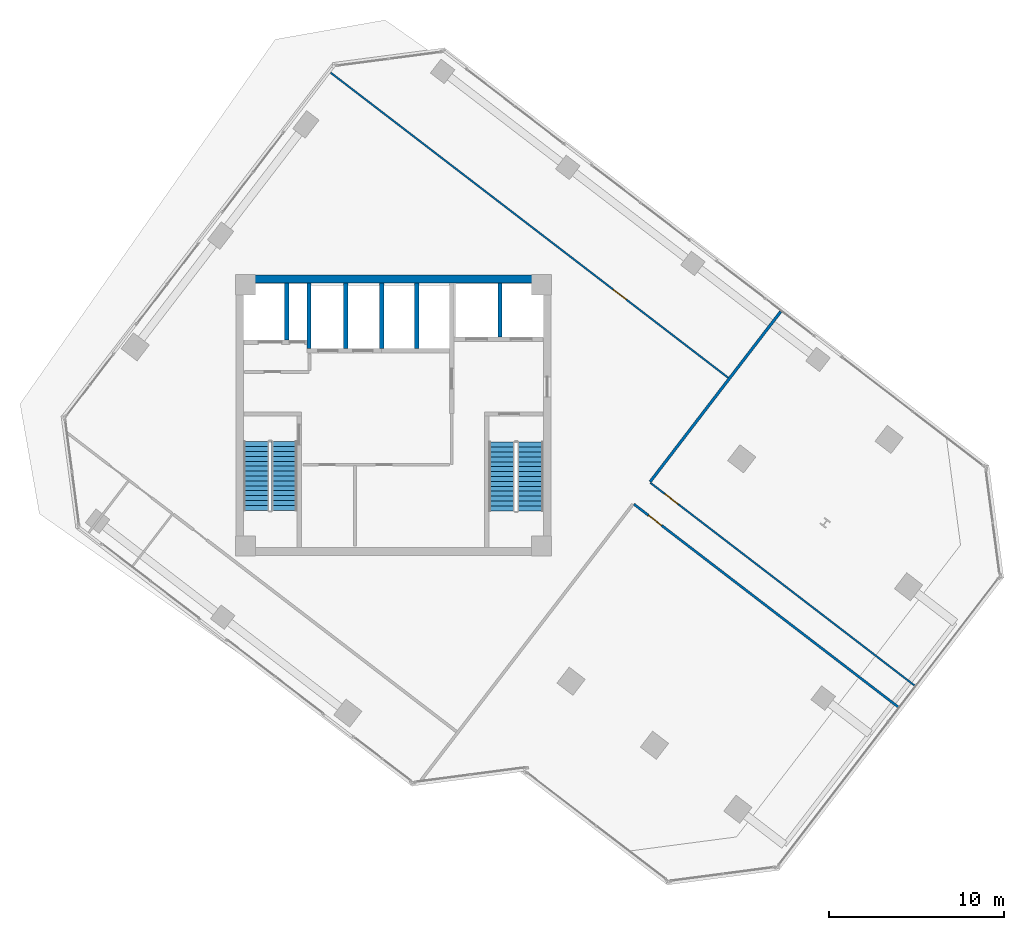
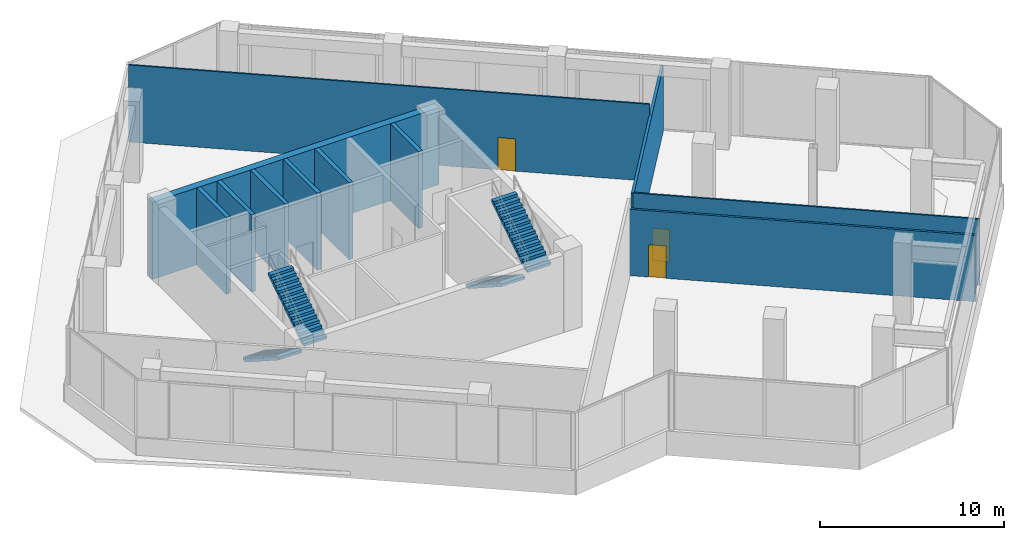
# One storey, part 19 of 23: 11 walls, 4 stair flights, 3 doors, 3 openings, 2 elements without a shape of their own.
"""IFC4 building model written with IfcOpenShell, lengths in metres."""

from ifc_helpers import new_model, si_unit, direction, frame, frame_2d, origin, place, context, subcontext, project, spatial, polyline, rectangle, outline, extrude, source, transform, mapped, material, layer, layer_set, type_object, element, fill, aggregate, save


model = new_model("IFC4")

# Units and contexts
model_context = context("Model", 3, precision=1e-05, world=origin(), true_north=direction((0.0, 1.0)))
body_context = subcontext(model_context, "Body", "Model", "MODEL_VIEW")
ifc_project = project(units=[si_unit("LENGTHUNIT", "METRE"), si_unit("AREAUNIT", "SQUARE_METRE"), si_unit("VOLUMEUNIT", "CUBIC_METRE"), si_unit("PLANEANGLEUNIT", "RADIAN"), si_unit("MASSUNIT", "GRAM", prefix="KILO")], contexts=[model_context])

# Site, building, storey
site_placement = place(None, origin())
site = spatial("IfcSite", under=ifc_project, at=site_placement, CompositionType="ELEMENT")
building_placement = place(site_placement, origin())
building = spatial("IfcBuilding", under=site, at=building_placement, Name="Torre Montelarca", CompositionType="ELEMENT")
storey_placement = place(building_placement, frame((0.0, 0.0, 204.39990234375)))
storey = spatial("IfcBuildingStorey", under=building, at=storey_placement, Name="L46", CompositionType="ELEMENT", Elevation=204.39990234375)

# Walls
ifc_material_1 = material(Name="Concrete C40/50", Category="concrete")
ifc_layer_1 = layer(ifc_material_1, 0.25, Name="Concrete C40/50", Category="concrete")
ifc_layer_set_1 = layer_set([ifc_layer_1], Name="Concrete C40/50")
wall_type_1 = type_object("IfcWallType", Name="CW-SHAFT-250", PredefinedType="SHEAR", material=ifc_layer_set_1)
wall_1_placement = place(storey_placement, frame((11.89990234375, 36.31005859375, 0.0), z_axis=(0.0, 0.0, 1.0), x_axis=(0.0, 1.0, 0.0)))
element("IfcWall", 1, at=wall_1_placement, inside=storey, type_object=wall_type_1, Name="L46 Core Shear Wall SH-SV1-E", PredefinedType="SHEAR", context=body_context, shape_type="SweptSolid", body=[
    extrude(rectangle(XDim=3.22998046875, YDim=0.25, at=frame_2d((1.614990234375, 0.0))), origin(), (0.0, 0.0, 1.0), 5.1201171875),
])
wall_2_placement = place(storey_placement, frame((24.080078125, 36.47998046875, 0.0), z_axis=(0.0, 0.0, 1.0), x_axis=(0.0, 1.0, 0.0)))
element("IfcWall", 2, at=wall_2_placement, inside=storey, type_object=wall_type_1, Name="L46 Core Shear Wall SH-FF-M", PredefinedType="SHEAR", context=body_context, shape_type="SweptSolid", body=[
    extrude(rectangle(XDim=3.06005859375, YDim=0.25, at=frame_2d((1.530029296875, 0.0))), origin(), (0.0, 0.0, 1.0), 5.1201171875),
])
for number, where, z_axis, x_axis, name in (
    (3, (13.179931640625, 35.81005859375, 0.0), (0.0, 0.0, 1.0), (0.0, 1.0, 0.0), "L46 Core Shear Wall SH-PLM-W"),
    (4, (15.280029296875, 35.81005859375, 0.0), (0.0, 0.0, 1.0), (0.0, 1.0, 0.0), "L46 Core Shear Wall SH-PLM-M"),
    (5, (17.320068359375, 35.81005859375, 0.0), (0.0, 0.0, 1.0), (0.0, 1.0, 0.0), "L46 Core Shear Wall SH-PLH-W"),
    (6, (19.320068359375, 35.81005859375, 0.0), (0.0, 0.0, 1.0), (0.0, 1.0, 0.0), "L46 Core Shear Wall SH-PLH-M"),
):
    element("IfcWall", number, at=place(storey_placement, frame(where, z_axis=z_axis, x_axis=x_axis)), inside=storey, type_object=wall_type_1, Name=name, PredefinedType="SHEAR", context=body_context, shape_type="SweptSolid", body=[
        extrude(rectangle(XDim=3.72998046875, YDim=0.25, at=frame_2d((1.864990234375, 0.0))), origin(), (0.0, 0.0, 1.0), 5.1201171875),
    ])
ifc_material_2 = material(Name="Concrete C55/67", Category="concrete")
ifc_layer_2 = layer(ifc_material_2, 0.449951171875, Name="Concrete C55/67", Category="concrete")
ifc_layer_set_2 = layer_set([ifc_layer_2], Name="Concrete C55/67")
wall_type_2 = type_object("IfcWallType", Name="CW-SHEAR-450", PredefinedType="SHEAR", material=ifc_layer_set_2)
wall_3_placement = place(storey_placement, frame((9.0, 39.77490234375, 0.0), z_axis=(0.0, 0.0, 1.0), x_axis=(1.0, 0.0, 0.0)))
element("IfcWall", 7, at=wall_3_placement, inside=storey, type_object=wall_type_2, Name="L46 Core Shear Wall CW-N1", PredefinedType="SHEAR", context=body_context, shape_type="SweptSolid", body=[
    extrude(rectangle(XDim=18.0, YDim=0.449951171875, at=frame_2d((9.0, 0.0))), origin(), (0.0, 0.0, 1.0), 5.1201171875),
])
ifc_material_3 = material(Name="Gypsum plasterboard on steel stud", Category="steel")
ifc_layer_3 = layer(ifc_material_3, 0.159912109375, Name="Gypsum plasterboard on steel stud", Category="steel")
ifc_layer_set_3 = layer_set([ifc_layer_3], Name="Gypsum plasterboard on steel stud")
wall_type_3 = type_object("IfcWallType", Name="PW-FIRE-160", PredefinedType="PARTITIONING", material=ifc_layer_set_3)
wall_4_placement = place(storey_placement, frame((32.647216796875, 28.211181640625, 0.0), z_axis=(0.0, 0.0, 1.0), x_axis=(0.608743464117, 0.793367124914, 0.0)))
element("IfcWall", 8, at=wall_4_placement, inside=storey, type_object=wall_type_3, Name="L46 Interior Partition W-L46-ECN", PredefinedType="PARTITIONING", context=body_context, shape_type="SweptSolid", body=[
    extrude(rectangle(XDim=12.23974609375, YDim=0.159912109375, at=frame_2d((6.119873046875, 0.0))), origin(), (0.0, 0.0, 1.0), 4.35498046875),
])

# Wall, opening, door
ifc_material_4 = material(Name="Acoustic laminated glass partition", Category="glass")
ifc_layer_4 = layer(ifc_material_4, 0.10009765625, Name="Acoustic laminated glass partition", Category="glass")
ifc_layer_set_4 = layer_set([ifc_layer_4], Name="Acoustic laminated glass partition")
wall_type_4 = type_object("IfcWallType", Name="PW-GLAZ-100", PredefinedType="PARTITIONING", material=ifc_layer_set_4)
wall_5_placement = place(storey_placement, frame((14.41845703125, 51.551025390625, 0.0), z_axis=(0.0, 0.0, 1.0), x_axis=(0.793357597302, -0.608755881124, 0.0)))
wall_5 = element("IfcWall", 9, at=wall_5_placement, inside=storey, type_object=wall_type_4, Name="L46 Interior Partition W-L46-NBOT", PredefinedType="PARTITIONING", context=body_context, shape_type="SweptSolid", body=[
    extrude(rectangle(XDim=28.630126953125, YDim=0.10009765625, at=frame_2d((14.31494140625, 0.0))), origin(), (0.0, 0.0, 1.0), 5.1201171875),
])
opening_1_placement = place(wall_5_placement, frame((20.31005859375, 0.0, 0.0)))
opening_1 = element("IfcOpeningElement", 10, at=opening_1_placement, cuts=wall_5, Name="Opening ID-095", PredefinedType="OPENING", context=body_context, shape_type="SweptSolid", body=[
    extrude(rectangle(XDim=0.949951171875, YDim=2.14990234375, at=frame_2d((0.47509765625, 1.074951171875))), frame((0.0, 0.06005859375, 0.0), z_axis=(0.0, -1.0, 0.0), x_axis=(1.0, 0.0, 0.0)), (0.0, 0.0, 1.0), 0.1201171875),
])
ifc_material_5 = material(Name="Hardwood acoustic timber veneer", Category="wood")
door_type = type_object("IfcDoorType", Name="DR-INT-095", OperationType="NOTDEFINED", PredefinedType="DOOR", material=ifc_material_5)
shared_shape = source(origin(), body_context, "Body", "SweptSolid", [
    extrude(rectangle(XDim=0.949951171875, YDim=2.14990234375, at=frame_2d((0.47509765625, 1.074951171875))), frame((0.0, 0.02490234375, 0.0), z_axis=(0.0, -1.0, 0.0), x_axis=(1.0, 0.0, 0.0)), (0.0, 0.0, 1.0), 0.050048828125),
])
door_1_placement = place(opening_1_placement, origin())
door_1 = element("IfcDoor", 11, at=door_1_placement, inside=storey, type_object=door_type, Name="L46 Interior Door 07", OperationType="SINGLE_SWING_LEFT", OverallHeight=2.14990234375, OverallWidth=0.949951171875, PredefinedType="DOOR", context=body_context, shape_type="MappedRepresentation", body=[
    mapped(shared_shape, transform((0.0, 0.0, 0.0), scale=1.0)),
])
fill(opening_1, door_1)

wall_6_placement = place(storey_placement, frame((32.654296875, 28.155029296875, 0.0), z_axis=(0.0, 0.0, 1.0), x_axis=(0.793356444093, -0.608757384034, 0.0)))
wall_6 = element("IfcWall", 12, at=wall_6_placement, inside=storey, type_object=wall_type_4, Name="L46 Interior Partition W-L46-NE-S", PredefinedType="PARTITIONING", context=body_context, shape_type="SweptSolid", body=[
    extrude(rectangle(XDim=19.030029296875, YDim=0.10009765625, at=frame_2d((9.51513671875, 0.0))), origin(), (0.0, 0.0, 1.0), 4.41259765625),
])
opening_2_placement = place(wall_6_placement, frame((1.050048828125, 0.0, 0.0)))
opening_2 = element("IfcOpeningElement", 13, at=opening_2_placement, cuts=wall_6, Name="Opening ID-095", PredefinedType="OPENING", context=body_context, shape_type="SweptSolid", body=[
    extrude(rectangle(XDim=0.949951171875, YDim=2.14990234375, at=frame_2d((0.47509765625, 1.074951171875))), frame((0.0, 0.06005859375, 0.0), z_axis=(0.0, -1.0, 0.0), x_axis=(1.0, 0.0, 0.0)), (0.0, 0.0, 1.0), 0.1201171875),
])
door_2_placement = place(opening_2_placement, origin())
door_2 = element("IfcDoor", 14, at=door_2_placement, inside=storey, type_object=door_type, Name="L46 Interior Door 08", OperationType="SINGLE_SWING_LEFT", OverallHeight=2.14990234375, OverallWidth=0.949951171875, PredefinedType="DOOR", context=body_context, shape_type="MappedRepresentation", body=[
    mapped(shared_shape, transform((0.0, 0.0, 0.0), scale=1.0)),
])
fill(opening_2, door_2)

ifc_layer_5 = layer(ifc_material_3, 0.135009765625, Name="Gypsum plasterboard on steel stud", Category="steel")
ifc_layer_set_5 = layer_set([ifc_layer_5], Name="Gypsum plasterboard on steel stud")
wall_type_5 = type_object("IfcWallType", Name="PW-PART-135", PredefinedType="PARTITIONING", material=ifc_layer_set_5)
wall_7_placement = place(storey_placement, frame((31.716796875, 26.933349609375, 0.0), z_axis=(0.0, 0.0, 1.0), x_axis=(0.793356444093, -0.608757384034, 0.0)))
wall_7 = element("IfcWall", 15, at=wall_7_placement, inside=storey, type_object=wall_type_5, Name="L46 Interior Partition W-L46-SE-N", PredefinedType="PARTITIONING", context=body_context, shape_type="SweptSolid", body=[
    extrude(rectangle(XDim=19.030029296875, YDim=0.135009765625, at=frame_2d((9.51513671875, 0.0))), origin(), (0.0, 0.0, 1.0), 4.41259765625),
])
opening_3_placement = place(wall_7_placement, frame((1.050048828125, 0.0, 0.0)))
opening_3 = element("IfcOpeningElement", 16, at=opening_3_placement, cuts=wall_7, Name="Opening ID-095", PredefinedType="OPENING", context=body_context, shape_type="SweptSolid", body=[
    extrude(rectangle(XDim=0.949951171875, YDim=2.14990234375, at=frame_2d((0.47509765625, 1.074951171875))), frame((0.0, 0.07763671875, 0.0), z_axis=(0.0, -1.0, 0.0), x_axis=(1.0, 0.0, 0.0)), (0.0, 0.0, 1.0), 0.155029296875),
])
door_3_placement = place(opening_3_placement, origin())
door_3 = element("IfcDoor", 17, at=door_3_placement, inside=storey, type_object=door_type, Name="L46 Interior Door 09", OperationType="SINGLE_SWING_LEFT", OverallHeight=2.14990234375, OverallWidth=0.949951171875, PredefinedType="DOOR", context=body_context, shape_type="MappedRepresentation", body=[
    mapped(shared_shape, transform((0.0, 0.0, 0.0), scale=1.0)),
])
fill(opening_3, door_3)

# Stair, stair flights
stair_type_1 = type_object("IfcStairType", Name="ST-CORE-ST1", PredefinedType="HALF_TURN_STAIR", material=ifc_material_1)
stair_1_placement = place(storey_placement, origin())
stair_1 = element("IfcStair", 18, at=stair_1_placement, inside=storey, type_object=stair_type_1, Name="L46 Protected Exit Stair ST1", PredefinedType="HALF_TURN_STAIR")
stair_flight_type_1 = type_object("IfcStairFlightType", Name="SFL-CORE-ST1", PredefinedType="STRAIGHT", material=ifc_material_1)
stair_flight_1_placement = place(storey_placement, frame((10.175048828125, 30.5, 0.0), z_axis=(0.0, 0.0, 1.0), x_axis=(0.0, -1.0, 0.0)))
stair_flight_1 = element("IfcStairFlight", 19, at=stair_flight_1_placement, type_object=stair_flight_type_1, Name="ST1 flight 1", NumberOfRisers=15, NumberOfTreads=14, PredefinedType="STRAIGHT", RiserHeight=0.18, TreadLength=0.28, context=body_context, shape_type="SweptSolid", body=[
    extrude(outline(polyline([(0.0, 0.0), (0.0, 0.179931640625), (0.280029296875, 0.179931640625), (0.280029296875, 0.360107421875), (0.56005859375, 0.360107421875), (0.56005859375, 0.5400390625), (0.840087890625, 0.5400390625), (0.840087890625, 0.719970703125), (1.1201171875, 0.719970703125), (1.1201171875, 0.89990234375), (1.39990234375, 0.89990234375), (1.39990234375, 1.080078125), (1.679931640625, 1.080078125), (1.679931640625, 1.260009765625), (1.9599609375, 1.260009765625), (1.9599609375, 1.43994140625), (2.239990234375, 1.43994140625), (2.239990234375, 1.6201171875), (2.52001953125, 1.6201171875), (2.52001953125, 1.800048828125), (2.800048828125, 1.800048828125), (2.800048828125, 1.97998046875), (3.080078125, 1.97998046875), (3.080078125, 2.159912109375), (3.360107421875, 2.159912109375), (3.360107421875, 2.340087890625), (3.639892578125, 2.340087890625), (3.639892578125, 2.52001953125), (3.919921875, 2.52001953125), (3.919921875, 2.699951171875), (3.919921875, 2.341796875), (0.277099609375, 0.0), (0.0, 0.0)])), frame((0.0, 0.72509765625, 0.0), z_axis=(0.0, -1.0, 0.0), x_axis=(1.0, 0.0, 0.0)), (0.0, 0.0, 1.0), 1.449951171875),
])
stair_flight_2_placement = place(storey_placement, frame((11.77490234375, 26.580078125, 2.7001953125), z_axis=(0.0, 0.0, 1.0), x_axis=(0.0, 1.0, 0.0)))
stair_flight_2 = element("IfcStairFlight", 20, at=stair_flight_2_placement, type_object=stair_flight_type_1, Name="ST1 flight 2", NumberOfRisers=15, NumberOfTreads=14, PredefinedType="STRAIGHT", RiserHeight=0.18, TreadLength=0.28, context=body_context, shape_type="SweptSolid", body=[
    extrude(outline(polyline([(0.0, 0.0), (0.0, 0.179931640625), (0.280029296875, 0.179931640625), (0.280029296875, 0.360107421875), (0.56005859375, 0.360107421875), (0.56005859375, 0.5400390625), (0.840087890625, 0.5400390625), (0.840087890625, 0.719970703125), (1.1201171875, 0.719970703125), (1.1201171875, 0.89990234375), (1.39990234375, 0.89990234375), (1.39990234375, 1.080078125), (1.679931640625, 1.080078125), (1.679931640625, 1.260009765625), (1.9599609375, 1.260009765625), (1.9599609375, 1.43994140625), (2.239990234375, 1.43994140625), (2.239990234375, 1.6201171875), (2.52001953125, 1.6201171875), (2.52001953125, 1.800048828125), (2.800048828125, 1.800048828125), (2.800048828125, 1.97998046875), (3.080078125, 1.97998046875), (3.080078125, 2.159912109375), (3.360107421875, 2.159912109375), (3.360107421875, 2.340087890625), (3.639892578125, 2.340087890625), (3.639892578125, 2.52001953125), (3.919921875, 2.52001953125), (3.919921875, 2.699951171875), (3.919921875, 2.341796875), (0.277099609375, 0.0), (0.0, 0.0)])), frame((0.0, 0.72509765625, 0.0), z_axis=(0.0, -1.0, 0.0), x_axis=(1.0, 0.0, 0.0)), (0.0, 0.0, 1.0), 1.449951171875),
])
aggregate(stair_1, [stair_flight_1, stair_flight_2])

stair_type_2 = type_object("IfcStairType", Name="ST-CORE-ST2", PredefinedType="HALF_TURN_STAIR", material=ifc_material_1)
stair_2_placement = place(storey_placement, origin())
stair_2 = element("IfcStair", 21, at=stair_2_placement, inside=storey, type_object=stair_type_2, Name="L46 Protected Exit Stair ST2", PredefinedType="HALF_TURN_STAIR")
stair_flight_type_2 = type_object("IfcStairFlightType", Name="SFL-CORE-ST2", PredefinedType="STRAIGHT", material=ifc_material_1)
stair_flight_3_placement = place(storey_placement, frame((24.179931640625, 30.469970703125, 0.0), z_axis=(0.0, 0.0, 1.0), x_axis=(0.0, -1.0, 0.0)))
stair_flight_3 = element("IfcStairFlight", 22, at=stair_flight_3_placement, type_object=stair_flight_type_2, Name="ST2 flight 1", NumberOfRisers=15, NumberOfTreads=14, PredefinedType="STRAIGHT", RiserHeight=0.18, TreadLength=0.28, context=body_context, shape_type="SweptSolid", body=[
    extrude(outline(polyline([(0.0, 0.0), (0.0, 0.179931640625), (0.280029296875, 0.179931640625), (0.280029296875, 0.360107421875), (0.56005859375, 0.360107421875), (0.56005859375, 0.5400390625), (0.840087890625, 0.5400390625), (0.840087890625, 0.719970703125), (1.1201171875, 0.719970703125), (1.1201171875, 0.89990234375), (1.39990234375, 0.89990234375), (1.39990234375, 1.080078125), (1.679931640625, 1.080078125), (1.679931640625, 1.260009765625), (1.9599609375, 1.260009765625), (1.9599609375, 1.43994140625), (2.239990234375, 1.43994140625), (2.239990234375, 1.6201171875), (2.52001953125, 1.6201171875), (2.52001953125, 1.800048828125), (2.800048828125, 1.800048828125), (2.800048828125, 1.97998046875), (3.080078125, 1.97998046875), (3.080078125, 2.159912109375), (3.360107421875, 2.159912109375), (3.360107421875, 2.340087890625), (3.639892578125, 2.340087890625), (3.639892578125, 2.52001953125), (3.919921875, 2.52001953125), (3.919921875, 2.699951171875), (3.919921875, 2.341796875), (0.277099609375, 0.0), (0.0, 0.0)])), frame((0.0, 0.739990234375, 0.0), z_axis=(0.0, -1.0, 0.0), x_axis=(1.0, 0.0, 0.0)), (0.0, 0.0, 1.0), 1.47998046875),
])
stair_flight_4_placement = place(storey_placement, frame((25.81005859375, 26.550048828125, 2.7001953125), z_axis=(0.0, 0.0, 1.0), x_axis=(0.0, 1.0, 0.0)))
stair_flight_4 = element("IfcStairFlight", 23, at=stair_flight_4_placement, type_object=stair_flight_type_2, Name="ST2 flight 2", NumberOfRisers=15, NumberOfTreads=14, PredefinedType="STRAIGHT", RiserHeight=0.18, TreadLength=0.28, context=body_context, shape_type="SweptSolid", body=[
    extrude(outline(polyline([(0.0, 0.0), (0.0, 0.179931640625), (0.280029296875, 0.179931640625), (0.280029296875, 0.360107421875), (0.56005859375, 0.360107421875), (0.56005859375, 0.5400390625), (0.840087890625, 0.5400390625), (0.840087890625, 0.719970703125), (1.1201171875, 0.719970703125), (1.1201171875, 0.89990234375), (1.39990234375, 0.89990234375), (1.39990234375, 1.080078125), (1.679931640625, 1.080078125), (1.679931640625, 1.260009765625), (1.9599609375, 1.260009765625), (1.9599609375, 1.43994140625), (2.239990234375, 1.43994140625), (2.239990234375, 1.6201171875), (2.52001953125, 1.6201171875), (2.52001953125, 1.800048828125), (2.800048828125, 1.800048828125), (2.800048828125, 1.97998046875), (3.080078125, 1.97998046875), (3.080078125, 2.159912109375), (3.360107421875, 2.159912109375), (3.360107421875, 2.340087890625), (3.639892578125, 2.340087890625), (3.639892578125, 2.52001953125), (3.919921875, 2.52001953125), (3.919921875, 2.699951171875), (3.919921875, 2.341796875), (0.277099609375, 0.0), (0.0, 0.0)])), frame((0.0, 0.739990234375, 0.0), z_axis=(0.0, -1.0, 0.0), x_axis=(1.0, 0.0, 0.0)), (0.0, 0.0, 1.0), 1.47998046875),
])
aggregate(stair_2, [stair_flight_3, stair_flight_4])

save(model, "model.ifc")
